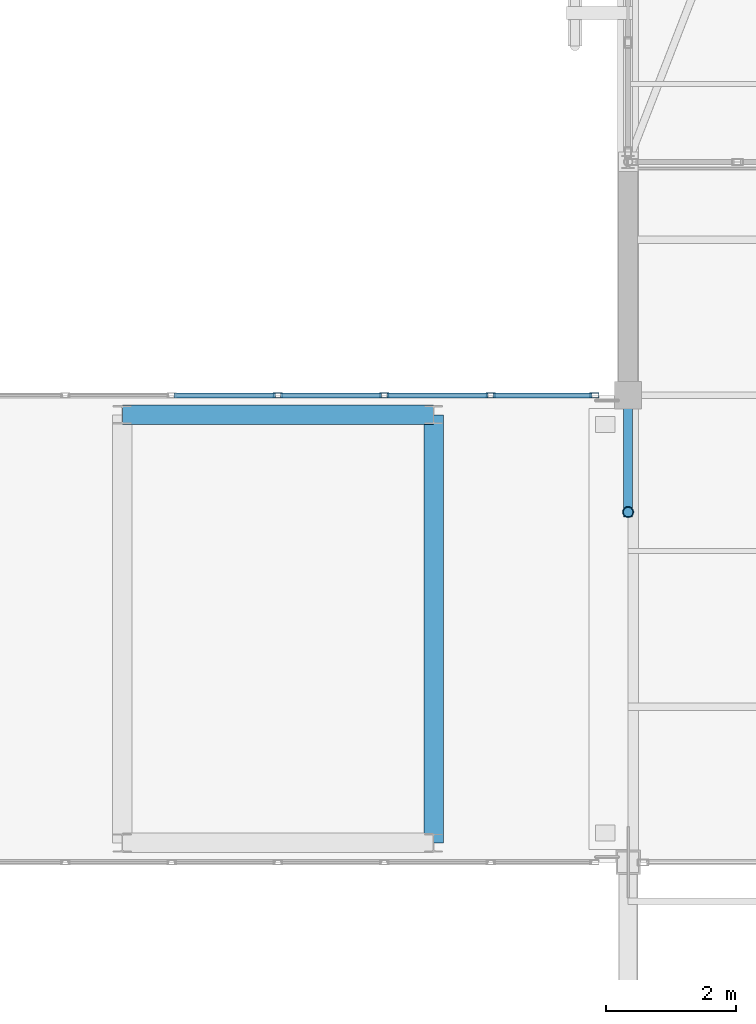
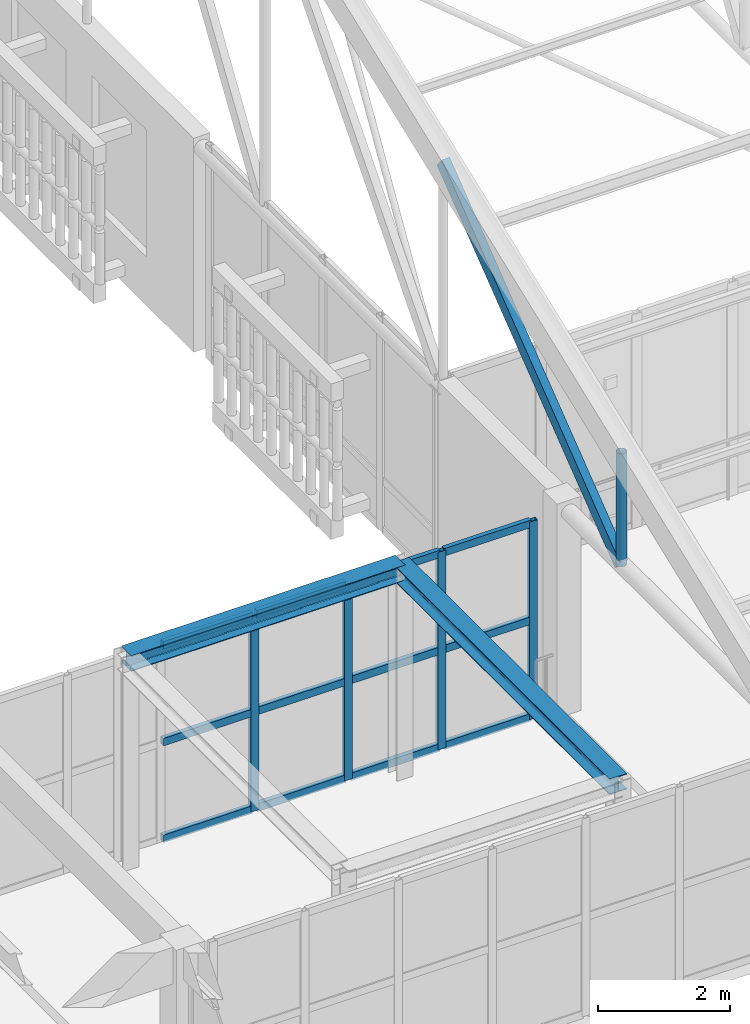
# One storey, part 67 of 217: 18 members, 2 beams, 1 element without a shape of its own.
"""IFC4 building model written with IfcOpenShell, lengths in metres."""

from ifc_helpers import new_model, si_unit, direction, frame, origin, origin_2d, place, context, subcontext, project, spatial, hollow_rectangle, hollow_circle, i_section, extrude, material, layer, layer_set, material_profile, profile_set, type_object, element, aggregate, save


model = new_model("IFC4")

# Units and contexts
model_context = context("Model", 3, precision=1e-05, world=origin(), true_north=direction((0.0, 1.0)))
body_context = subcontext(model_context, "Body", "Model", "MODEL_VIEW")
ifc_project = project(units=[si_unit("LENGTHUNIT", "METRE"), si_unit("AREAUNIT", "SQUARE_METRE"), si_unit("VOLUMEUNIT", "CUBIC_METRE"), si_unit("PLANEANGLEUNIT", "RADIAN"), si_unit("MASSUNIT", "GRAM", prefix="KILO")], contexts=[model_context])

# Site, building, storey
site_placement = place(None, origin())
site = spatial("IfcSite", under=ifc_project, at=site_placement, CompositionType="ELEMENT")
building_placement = place(site_placement, origin())
building = spatial("IfcBuilding", under=site, at=building_placement, Name="Mazaris Harbour Polytechnic", CompositionType="ELEMENT")
storey_placement = place(building_placement, frame((0.0, 0.0, 9.60009765625)))
storey = spatial("IfcBuildingStorey", under=building, at=storey_placement, Name="L02", CompositionType="ELEMENT", Elevation=9.60009765625)

# Curtain wall, members
ifc_material_1 = material(Name="Anodised Bronze Aluminium and Low-E Glass", Category="aluminium")
ifc_layer = layer(ifc_material_1, 0.139892578125, Name="Anodised Bronze Aluminium and Low-E Glass")
ifc_layer_set = layer_set([ifc_layer], Name="Anodised Bronze Aluminium and Low-E Glass")
curtain_wall_type = type_object("IfcCurtainWallType", Name="Seismic Link Bridge Glazing", PredefinedType="NOTDEFINED", material=ifc_layer_set)
curtain_wall_placement = place(storey_placement, origin())
curtain_wall = element("IfcCurtainWall", 1, at=curtain_wall_placement, inside=storey, type_object=curtain_wall_type, Name="PB-W2 L02 Bridge Glazing", PredefinedType="NOTDEFINED")
ifc_material_2 = material(Name="Anodised Bronze Steel S355", Category="steel")
ifc_material_profile_1 = material_profile(ifc_material_2, hollow_rectangle(XDim=0.080078125, YDim=0.139892578125, WallThickness=0.00634765625, at=origin_2d()), Name="RHS 80x140x6.3")
ifc_profile_set_1 = profile_set([ifc_material_profile_1], Name="Anodised Bronze Steel S355")
member_type_1 = type_object("IfcMemberType", Name="Curtain Mullion RHS80x140", PredefinedType="MULLION", material=ifc_profile_set_1)
member_1_placement = place(storey_placement, frame((53.47998046875, 82.800048828125, 0.0), z_axis=(0.0, 0.0, 1.0), x_axis=(0.0, -1.0, 0.0)))
member_1 = element("IfcMember", 2, at=member_1_placement, type_object=member_type_1, Name="CW-05 mullion 1", PredefinedType="MULLION", context=body_context, shape_type="SweptSolid", body=[
    extrude(hollow_rectangle(XDim=0.080078125, YDim=0.139892578125, WallThickness=0.00634765625, at=origin_2d()), origin(), (0.0, 0.0, 1.0), 3.659912109375),
])
member_2_placement = place(storey_placement, frame((51.8798828125, 82.800048828125, 0.0), z_axis=(0.0, 0.0, 1.0), x_axis=(0.0, -1.0, 0.0)))
member_2 = element("IfcMember", 3, at=member_2_placement, type_object=member_type_1, Name="CW-05 mullion 2", PredefinedType="MULLION", context=body_context, shape_type="SweptSolid", body=[
    extrude(hollow_rectangle(XDim=0.080078125, YDim=0.139892578125, WallThickness=0.00634765625, at=origin_2d()), origin(), (0.0, 0.0, 1.0), 3.659912109375),
])
member_3_placement = place(storey_placement, frame((50.239990234375, 82.800048828125, 0.0), z_axis=(0.0, 0.0, 1.0), x_axis=(0.0, -1.0, 0.0)))
member_3 = element("IfcMember", 4, at=member_3_placement, type_object=member_type_1, Name="CW-05 mullion 3", PredefinedType="MULLION", context=body_context, shape_type="SweptSolid", body=[
    extrude(hollow_rectangle(XDim=0.080078125, YDim=0.139892578125, WallThickness=0.00634765625, at=origin_2d()), origin(), (0.0, 0.0, 1.0), 3.659912109375),
])
member_4_placement = place(storey_placement, frame((48.60009765625, 82.800048828125, 0.0), z_axis=(0.0, 0.0, 1.0), x_axis=(0.0, -1.0, 0.0)))
member_4 = element("IfcMember", 5, at=member_4_placement, type_object=member_type_1, Name="CW-05 mullion 4", PredefinedType="MULLION", context=body_context, shape_type="SweptSolid", body=[
    extrude(hollow_rectangle(XDim=0.080078125, YDim=0.139892578125, WallThickness=0.00634765625, at=origin_2d()), origin(), (0.0, 0.0, 1.0), 3.659912109375),
])
ifc_material_3 = material(Name="Anodised Bronze Steel S355", Category="steel")
ifc_material_profile_2 = material_profile(ifc_material_3, hollow_rectangle(XDim=0.080078125, YDim=0.139892578125, WallThickness=0.00634765625, at=origin_2d()), Name="RHS 80x140x6.3")
ifc_profile_set_2 = profile_set([ifc_material_profile_2], Name="Anodised Bronze Steel S355")
member_type_2 = type_object("IfcMemberType", Name="Curtain Transom RHS80x140", PredefinedType="USERDEFINED", material=ifc_profile_set_2)
member_5_placement = place(storey_placement, frame((53.43994140625, 82.800048828125, 0.039794921875), z_axis=(-1.0, 0.0, 0.0), x_axis=(0.0, -1.0, 0.0)))
member_5 = element("IfcMember", 6, at=member_5_placement, type_object=member_type_2, Name="CW-05 transom 1.1", ObjectType="TRANSOM", PredefinedType="USERDEFINED", context=body_context, shape_type="SweptSolid", body=[
    extrude(hollow_rectangle(XDim=0.080078125, YDim=0.139892578125, WallThickness=0.00634765625, at=origin_2d()), origin(), (0.0, 0.0, 1.0), 1.52001953125),
])
member_6_placement = place(storey_placement, frame((53.43994140625, 82.800048828125, 1.829833984375), z_axis=(-1.0, 0.0, 0.0), x_axis=(0.0, -1.0, 0.0)))
member_6 = element("IfcMember", 7, at=member_6_placement, type_object=member_type_2, Name="CW-05 transom 1.2", ObjectType="TRANSOM", PredefinedType="USERDEFINED", context=body_context, shape_type="SweptSolid", body=[
    extrude(hollow_rectangle(XDim=0.080078125, YDim=0.139892578125, WallThickness=0.00634765625, at=origin_2d()), origin(), (0.0, 0.0, 1.0), 1.52001953125),
])
member_7_placement = place(storey_placement, frame((53.43994140625, 82.800048828125, 3.619873046875), z_axis=(-1.0, 0.0, 0.0), x_axis=(0.0, -1.0, 0.0)))
member_7 = element("IfcMember", 8, at=member_7_placement, type_object=member_type_2, Name="CW-05 transom 1.3", ObjectType="TRANSOM", PredefinedType="USERDEFINED", context=body_context, shape_type="SweptSolid", body=[
    extrude(hollow_rectangle(XDim=0.080078125, YDim=0.139892578125, WallThickness=0.00634765625, at=origin_2d()), origin(), (0.0, 0.0, 1.0), 1.52001953125),
])
member_8_placement = place(storey_placement, frame((51.840087890625, 82.800048828125, 0.039794921875), z_axis=(-1.0, 0.0, 0.0), x_axis=(0.0, -1.0, 0.0)))
member_8 = element("IfcMember", 9, at=member_8_placement, type_object=member_type_2, Name="CW-05 transom 2.1", ObjectType="TRANSOM", PredefinedType="USERDEFINED", context=body_context, shape_type="SweptSolid", body=[
    extrude(hollow_rectangle(XDim=0.080078125, YDim=0.139892578125, WallThickness=0.00634765625, at=origin_2d()), origin(), (0.0, 0.0, 1.0), 1.56005859375),
])
member_9_placement = place(storey_placement, frame((51.840087890625, 82.800048828125, 1.829833984375), z_axis=(-1.0, 0.0, 0.0), x_axis=(0.0, -1.0, 0.0)))
member_9 = element("IfcMember", 10, at=member_9_placement, type_object=member_type_2, Name="CW-05 transom 2.2", ObjectType="TRANSOM", PredefinedType="USERDEFINED", context=body_context, shape_type="SweptSolid", body=[
    extrude(hollow_rectangle(XDim=0.080078125, YDim=0.139892578125, WallThickness=0.00634765625, at=origin_2d()), origin(), (0.0, 0.0, 1.0), 1.56005859375),
])
member_10_placement = place(storey_placement, frame((51.840087890625, 82.800048828125, 3.619873046875), z_axis=(-1.0, 0.0, 0.0), x_axis=(0.0, -1.0, 0.0)))
member_10 = element("IfcMember", 11, at=member_10_placement, type_object=member_type_2, Name="CW-05 transom 2.3", ObjectType="TRANSOM", PredefinedType="USERDEFINED", context=body_context, shape_type="SweptSolid", body=[
    extrude(hollow_rectangle(XDim=0.080078125, YDim=0.139892578125, WallThickness=0.00634765625, at=origin_2d()), origin(), (0.0, 0.0, 1.0), 1.56005859375),
])
member_11_placement = place(storey_placement, frame((50.199951171875, 82.800048828125, 0.039794921875), z_axis=(-1.0, 0.0, 0.0), x_axis=(0.0, -1.0, 0.0)))
member_11 = element("IfcMember", 12, at=member_11_placement, type_object=member_type_2, Name="CW-05 transom 3.1", ObjectType="TRANSOM", PredefinedType="USERDEFINED", context=body_context, shape_type="SweptSolid", body=[
    extrude(hollow_rectangle(XDim=0.080078125, YDim=0.139892578125, WallThickness=0.00634765625, at=origin_2d()), origin(), (0.0, 0.0, 1.0), 1.56005859375),
])
member_12_placement = place(storey_placement, frame((50.199951171875, 82.800048828125, 1.829833984375), z_axis=(-1.0, 0.0, 0.0), x_axis=(0.0, -1.0, 0.0)))
member_12 = element("IfcMember", 13, at=member_12_placement, type_object=member_type_2, Name="CW-05 transom 3.2", ObjectType="TRANSOM", PredefinedType="USERDEFINED", context=body_context, shape_type="SweptSolid", body=[
    extrude(hollow_rectangle(XDim=0.080078125, YDim=0.139892578125, WallThickness=0.00634765625, at=origin_2d()), origin(), (0.0, 0.0, 1.0), 1.56005859375),
])
member_13_placement = place(storey_placement, frame((50.199951171875, 82.800048828125, 3.619873046875), z_axis=(-1.0, 0.0, 0.0), x_axis=(0.0, -1.0, 0.0)))
member_13 = element("IfcMember", 14, at=member_13_placement, type_object=member_type_2, Name="CW-05 transom 3.3", ObjectType="TRANSOM", PredefinedType="USERDEFINED", context=body_context, shape_type="SweptSolid", body=[
    extrude(hollow_rectangle(XDim=0.080078125, YDim=0.139892578125, WallThickness=0.00634765625, at=origin_2d()), origin(), (0.0, 0.0, 1.0), 1.56005859375),
])
member_14_placement = place(storey_placement, frame((48.56005859375, 82.800048828125, 0.039794921875), z_axis=(-1.0, 0.0, 0.0), x_axis=(0.0, -1.0, 0.0)))
member_14 = element("IfcMember", 15, at=member_14_placement, type_object=member_type_2, Name="CW-05 transom 4.1", ObjectType="TRANSOM", PredefinedType="USERDEFINED", context=body_context, shape_type="SweptSolid", body=[
    extrude(hollow_rectangle(XDim=0.080078125, YDim=0.139892578125, WallThickness=0.00634765625, at=origin_2d()), origin(), (0.0, 0.0, 1.0), 1.56005859375),
])
member_15_placement = place(storey_placement, frame((48.56005859375, 82.800048828125, 1.829833984375), z_axis=(-1.0, 0.0, 0.0), x_axis=(0.0, -1.0, 0.0)))
member_15 = element("IfcMember", 16, at=member_15_placement, type_object=member_type_2, Name="CW-05 transom 4.2", ObjectType="TRANSOM", PredefinedType="USERDEFINED", context=body_context, shape_type="SweptSolid", body=[
    extrude(hollow_rectangle(XDim=0.080078125, YDim=0.139892578125, WallThickness=0.00634765625, at=origin_2d()), origin(), (0.0, 0.0, 1.0), 1.56005859375),
])
member_16_placement = place(storey_placement, frame((48.56005859375, 82.800048828125, 3.619873046875), z_axis=(-1.0, 0.0, 0.0), x_axis=(0.0, -1.0, 0.0)))
member_16 = element("IfcMember", 17, at=member_16_placement, type_object=member_type_2, Name="CW-05 transom 4.3", ObjectType="TRANSOM", PredefinedType="USERDEFINED", context=body_context, shape_type="SweptSolid", body=[
    extrude(hollow_rectangle(XDim=0.080078125, YDim=0.139892578125, WallThickness=0.00634765625, at=origin_2d()), origin(), (0.0, 0.0, 1.0), 1.56005859375),
])
aggregate(curtain_wall, [member_1, member_2, member_3, member_4, member_5, member_6, member_7, member_8, member_9, member_10, member_11, member_12, member_13, member_14, member_15, member_16])

# Beams
ifc_material_4 = material(Name="Steel S355", Category="steel")
ifc_material_profile_3 = material_profile(ifc_material_4, i_section(OverallWidth=0.300048828125, OverallDepth=0.2900390625, WebThickness=0.008544921875, FlangeThickness=0.013916015625, FilletRadius=0.027099609375, at=origin_2d()), Name="HEA 300")
ifc_profile_set_3 = profile_set([ifc_material_profile_3], Name="Steel S355")
beam_type = type_object("IfcBeamType", Name="Steel Beam HEA300 Exterior", PredefinedType="SPANDREL", material=ifc_profile_set_3)
beam_1_placement = place(storey_placement, frame((51.0, 75.89990234375, 3.81494140625), z_axis=(0.0, 1.0, 0.0), x_axis=(-1.0, 0.0, 0.0)))
element("IfcBeam", 18, at=beam_1_placement, inside=storey, type_object=beam_type, Name="PB-W2 L02 Bridge Beam 3433", PredefinedType="SPANDREL", context=body_context, shape_type="SweptSolid", body=[
    extrude(i_section(OverallWidth=0.300048828125, OverallDepth=0.2900390625, WebThickness=0.008544921875, FlangeThickness=0.013916015625, FilletRadius=0.027099609375, at=origin_2d()), origin(), (0.0, 0.0, 1.0), 6.60009765625),
])
beam_2_placement = place(storey_placement, frame((46.199951171875, 82.5, 3.81494140625), z_axis=(1.0, 0.0, 0.0), x_axis=(0.0, 1.0, 0.0)))
element("IfcBeam", 19, at=beam_2_placement, inside=storey, type_object=beam_type, Name="PB-W2 L02 Bridge Beam 3434", PredefinedType="SPANDREL", context=body_context, shape_type="SweptSolid", body=[
    extrude(i_section(OverallWidth=0.300048828125, OverallDepth=0.2900390625, WebThickness=0.008544921875, FlangeThickness=0.013916015625, FilletRadius=0.027099609375, at=origin_2d()), origin(), (0.0, 0.0, 1.0), 4.800048828125),
])

# Members
ifc_material_5 = material(Name="Steel S355", Category="steel")
ifc_material_profile_4 = material_profile(ifc_material_5, hollow_rectangle(XDim=0.139892578125, YDim=0.239990234375, WallThickness=0.010009765625, at=origin_2d()), Name="RHS 140x240x10.0")
ifc_profile_set_4 = profile_set([ifc_material_profile_4], Name="Steel S355")
member_type_3 = type_object("IfcMemberType", Name="Steel Truss Diagonal RHS140x240", PredefinedType="BRACE", material=ifc_profile_set_4)
member_17_placement = place(storey_placement, frame((54.0, 81.0, 3.75), z_axis=(0.0, 0.791132369746, 0.611644973445), x_axis=(-1.0, 0.0, 0.0)))
element("IfcMember", 20, at=member_17_placement, inside=storey, type_object=member_type_3, Name="Truss 1 Web Diagonal S2", PredefinedType="BRACE", context=body_context, shape_type="SweptSolid", body=[
    extrude(hollow_rectangle(XDim=0.139892578125, YDim=0.239990234375, WallThickness=0.010009765625, at=origin_2d()), origin(), (0.0, 0.0, 1.0), 6.825439453125),
])
ifc_material_6 = material(Name="Steel S355", Category="steel")
ifc_material_profile_5 = material_profile(ifc_material_6, hollow_circle(Radius=0.084228515625, WallThickness=0.008056640625, at=origin_2d()), Name="CHS 168.3x8.0")
ifc_profile_set_5 = profile_set([ifc_material_profile_5], Name="Steel S355")
member_type_4 = type_object("IfcMemberType", Name="Steel Truss Strut CHS168", PredefinedType="STRUT", material=ifc_profile_set_5)
member_18_placement = place(storey_placement, frame((54.0, 81.0, 3.75), z_axis=(0.0, 0.0, 1.0), x_axis=(1.0, 0.0, 0.0)))
element("IfcMember", 21, at=member_18_placement, inside=storey, type_object=member_type_4, Name="Truss 1 Web Post S1", PredefinedType="STRUT", context=body_context, shape_type="SweptSolid", body=[
    extrude(hollow_circle(Radius=0.084228515625, WallThickness=0.008056640625, at=origin_2d()), origin(), (0.0, 0.0, 1.0), 2.08740234375),
])

save(model, "model.ifc")
